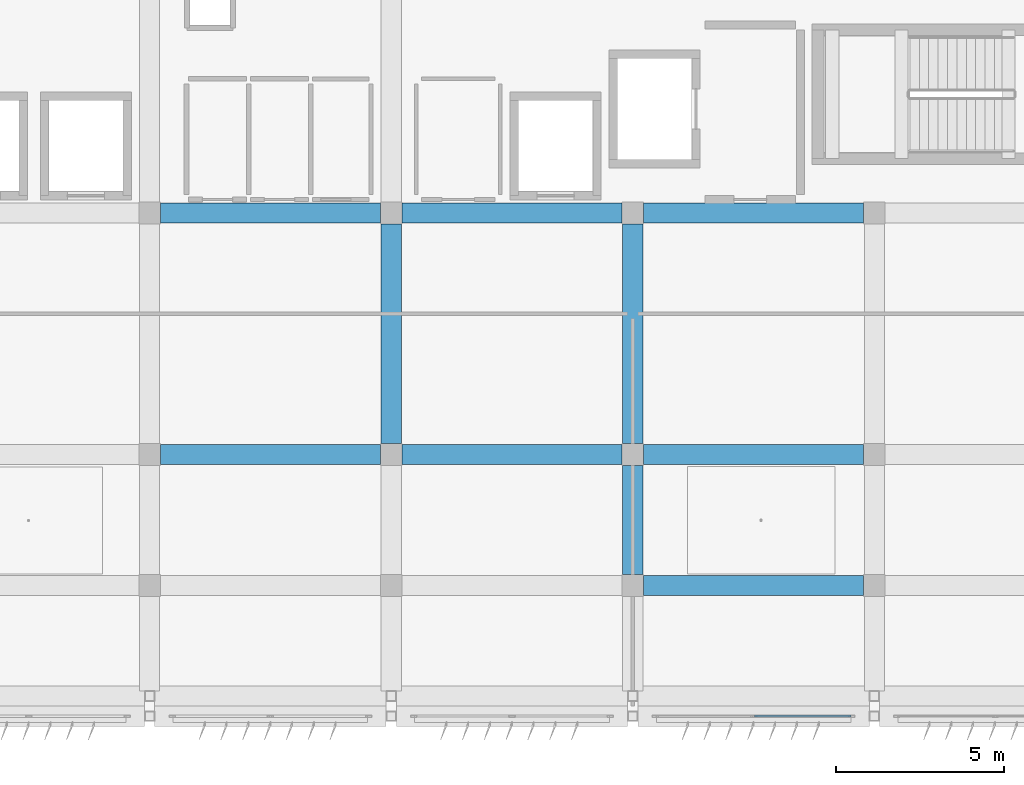
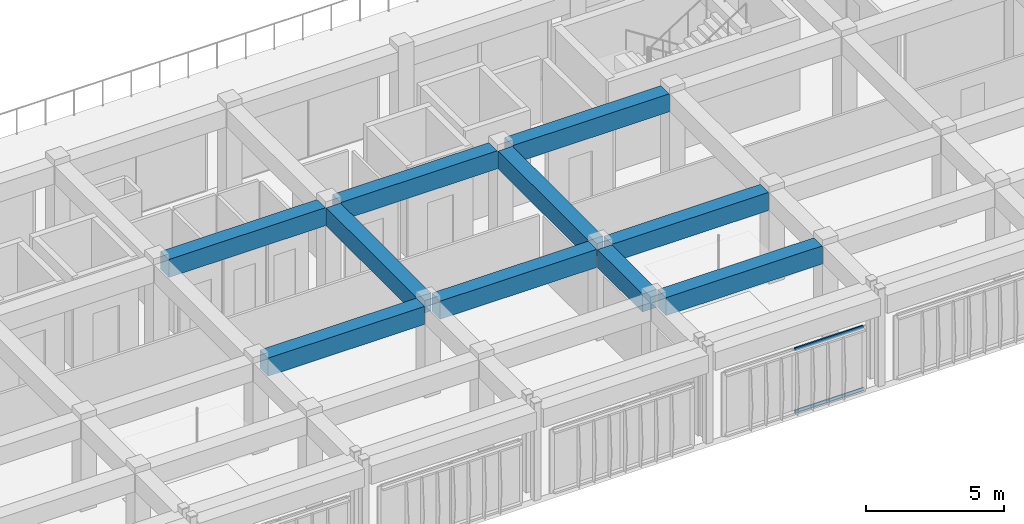
# One storey, part 16 of 42: 10 beams, 2 members, 1 element without a shape of its own.
"""IFC4 building model written with IfcOpenShell, lengths in metres."""

from ifc_helpers import new_model, si_unit, direction, frame, origin, origin_2d, place, context, subcontext, project, spatial, rectangle, hollow_rectangle, extrude, material, material_profile, profile_set, type_object, element, aggregate, save


model = new_model("IFC4")

# Units and contexts
model_context = context("Model", 3, precision=1e-05, world=origin(), true_north=direction((0.0, 1.0)))
body_context = subcontext(model_context, "Body", "Model", "MODEL_VIEW")
ifc_project = project(units=[si_unit("LENGTHUNIT", "METRE"), si_unit("AREAUNIT", "SQUARE_METRE"), si_unit("VOLUMEUNIT", "CUBIC_METRE"), si_unit("PLANEANGLEUNIT", "RADIAN"), si_unit("MASSUNIT", "GRAM", prefix="KILO")], contexts=[model_context])

# Site, building, storey
site_placement = place(None, origin())
site = spatial("IfcSite", under=ifc_project, at=site_placement, CompositionType="ELEMENT")
building_placement = place(site_placement, origin())
building = spatial("IfcBuilding", under=site, at=building_placement, Name="Kazehaya Institute of Natural Sciences", CompositionType="ELEMENT")
storey_placement = place(building_placement, frame((0.0, 0.0, 37.6201171875)))
storey = spatial("IfcBuildingStorey", under=building, at=storey_placement, Name="L08", CompositionType="ELEMENT", Elevation=37.6201171875)

# Beams
ifc_material_1 = material(Name="Concrete Fc36", Category="concrete")
ifc_material_profile_1 = material_profile(ifc_material_1, rectangle(XDim=0.60009765625, YDim=0.800048828125, at=origin_2d()), Name="RC-600x800")
ifc_profile_set_1 = profile_set([ifc_material_profile_1], Name="Concrete Fc36")
beam_type = type_object("IfcBeamType", Name="BM-G-600x800", PredefinedType="BEAM", material=ifc_profile_set_1)
beam_1_placement = place(storey_placement, frame((98.125, 10.10009765625, 3.64990234375), z_axis=(1.0, 0.0, 0.0), x_axis=(0.0, 1.0, 0.0)))
element("IfcBeam", 1, at=beam_1_placement, inside=storey, type_object=beam_type, Name="L08 primary X girder BMX-L08-978-101", PredefinedType="BEAM", context=body_context, shape_type="SweptSolid", body=[
    extrude(rectangle(XDim=0.60009765625, YDim=0.800048828125, at=origin_2d()), origin(), (0.0, 0.0, 1.0), 6.550048828125),
])
beam_2_placement = place(storey_placement, frame((83.72509765625, 14.0, 3.64990234375), z_axis=(1.0, 0.0, 0.0), x_axis=(0.0, 1.0, 0.0)))
element("IfcBeam", 2, at=beam_2_placement, inside=storey, type_object=beam_type, Name="L08 primary X girder BMX-L08-834-140", PredefinedType="BEAM", context=body_context, shape_type="SweptSolid", body=[
    extrude(rectangle(XDim=0.60009765625, YDim=0.800048828125, at=origin_2d()), origin(), (0.0, 0.0, 1.0), 6.5498046875),
])
for number, where, z_axis, x_axis, name in (
    (3, (90.925048828125, 14.0, 3.64990234375), (1.0, 0.0, 0.0), (0.0, 1.0, 0.0), "L08 primary X girder BMX-L08-906-140"),
    (4, (98.125, 14.0, 3.64990234375), (1.0, 0.0, 0.0), (0.0, 1.0, 0.0), "L08 primary X girder BMX-L08-978-140"),
):
    element("IfcBeam", number, at=place(storey_placement, frame(where, z_axis=z_axis, x_axis=x_axis)), inside=storey, type_object=beam_type, Name=name, PredefinedType="BEAM", context=body_context, shape_type="SweptSolid", body=[
        extrude(rectangle(XDim=0.60009765625, YDim=0.800048828125, at=origin_2d()), origin(), (0.0, 0.0, 1.0), 6.550048828125),
    ])
beam_3_placement = place(storey_placement, frame((83.72509765625, 21.199951171875, 3.64990234375), z_axis=(1.0, 0.0, 0.0), x_axis=(0.0, 1.0, 0.0)))
element("IfcBeam", 5, at=beam_3_placement, inside=storey, type_object=beam_type, Name="L08 primary X girder BMX-L08-834-212", PredefinedType="BEAM", context=body_context, shape_type="SweptSolid", body=[
    extrude(rectangle(XDim=0.60009765625, YDim=0.800048828125, at=origin_2d()), origin(), (0.0, 0.0, 1.0), 6.5498046875),
])
for number, where, z_axis, x_axis, name in (
    (6, (90.925048828125, 21.199951171875, 3.64990234375), (1.0, 0.0, 0.0), (0.0, 1.0, 0.0), "L08 primary X girder BMX-L08-906-212"),
    (7, (98.125, 21.199951171875, 3.64990234375), (1.0, 0.0, 0.0), (0.0, 1.0, 0.0), "L08 primary X girder BMX-L08-978-212"),
    (8, (90.60009765625, 14.324951171875, 3.64990234375), (0.0, 1.0, 0.0), (-1.0, 0.0, 0.0), "L08 primary Y girder BMY-L08-906-140"),
):
    element("IfcBeam", number, at=place(storey_placement, frame(where, z_axis=z_axis, x_axis=x_axis)), inside=storey, type_object=beam_type, Name=name, PredefinedType="BEAM", context=body_context, shape_type="SweptSolid", body=[
        extrude(rectangle(XDim=0.60009765625, YDim=0.800048828125, at=origin_2d()), origin(), (0.0, 0.0, 1.0), 6.550048828125),
    ])
beam_4_placement = place(storey_placement, frame((97.800048828125, 10.425048828125, 3.64990234375), z_axis=(0.0, 1.0, 0.0), x_axis=(-1.0, 0.0, 0.0)))
element("IfcBeam", 9, at=beam_4_placement, inside=storey, type_object=beam_type, Name="L08 primary Y girder BMY-L08-978-101", PredefinedType="BEAM", context=body_context, shape_type="SweptSolid", body=[
    extrude(rectangle(XDim=0.60009765625, YDim=0.800048828125, at=origin_2d()), origin(), (0.0, 0.0, 1.0), 3.25),
])
beam_5_placement = place(storey_placement, frame((97.800048828125, 14.324951171875, 3.64990234375), z_axis=(0.0, 1.0, 0.0), x_axis=(-1.0, 0.0, 0.0)))
element("IfcBeam", 10, at=beam_5_placement, inside=storey, type_object=beam_type, Name="L08 primary Y girder BMY-L08-978-140", PredefinedType="BEAM", context=body_context, shape_type="SweptSolid", body=[
    extrude(rectangle(XDim=0.60009765625, YDim=0.800048828125, at=origin_2d()), origin(), (0.0, 0.0, 1.0), 6.550048828125),
])

# Curtain wall, members
ifc_material_2 = material(Name="Aluminium alloy A6063S-T5", Category="aluminium")
curtain_wall_type = type_object("IfcCurtainWallType", Name="CW-SYS-05", PredefinedType="NOTDEFINED", material=ifc_material_2)
curtain_wall_placement = place(storey_placement, origin())
curtain_wall = element("IfcCurtainWall", 11, at=curtain_wall_placement, inside=storey, type_object=curtain_wall_type, Name="L08 unitised curtain wall CW-L08-178", PredefinedType="NOTDEFINED")
ifc_material_profile_2 = material_profile(ifc_material_2, hollow_rectangle(XDim=0.06005859375, YDim=0.139892578125, WallThickness=0.00341796875, at=origin_2d()), Name="ALU-60x140x3.5")
ifc_profile_set_2 = profile_set([ifc_material_profile_2], Name="Aluminium alloy A6063S-T5")
member_type = type_object("IfcMemberType", Name="CWT-140", PredefinedType="USERDEFINED", material=ifc_profile_set_2)
member_1_placement = place(storey_placement, frame((104.300048828125, 6.199951171875, 0.02978515625), z_axis=(-1.0, 0.0, 0.0), x_axis=(0.0, -1.0, 0.0)))
member_1 = element("IfcMember", 12, at=member_1_placement, type_object=member_type, Name="CW05 transom 1.1", ObjectType="TRANSOM", PredefinedType="USERDEFINED", context=body_context, shape_type="SweptSolid", body=[
    extrude(hollow_rectangle(XDim=0.06005859375, YDim=0.139892578125, WallThickness=0.00341796875, at=origin_2d()), origin(), (0.0, 0.0, 1.0), 2.8701171875),
])
member_2_placement = place(storey_placement, frame((104.300048828125, 6.199951171875, 2.789794921875), z_axis=(-1.0, 0.0, 0.0), x_axis=(0.0, -1.0, 0.0)))
member_2 = element("IfcMember", 13, at=member_2_placement, type_object=member_type, Name="CW05 transom 1.2", ObjectType="TRANSOM", PredefinedType="USERDEFINED", context=body_context, shape_type="SweptSolid", body=[
    extrude(hollow_rectangle(XDim=0.06005859375, YDim=0.139892578125, WallThickness=0.00341796875, at=origin_2d()), origin(), (0.0, 0.0, 1.0), 2.8701171875),
])
aggregate(curtain_wall, [member_1, member_2])

save(model, "model.ifc")
